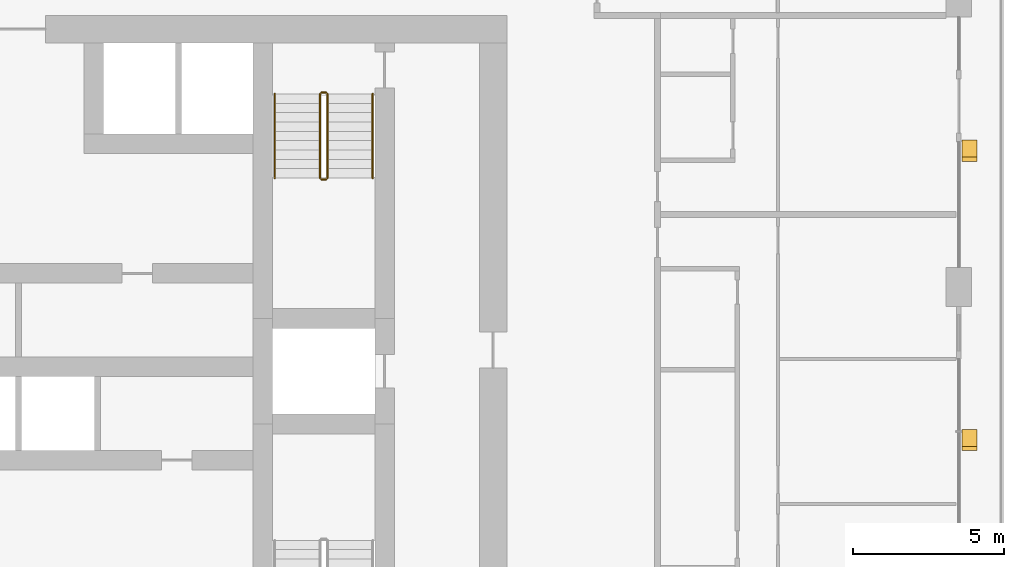
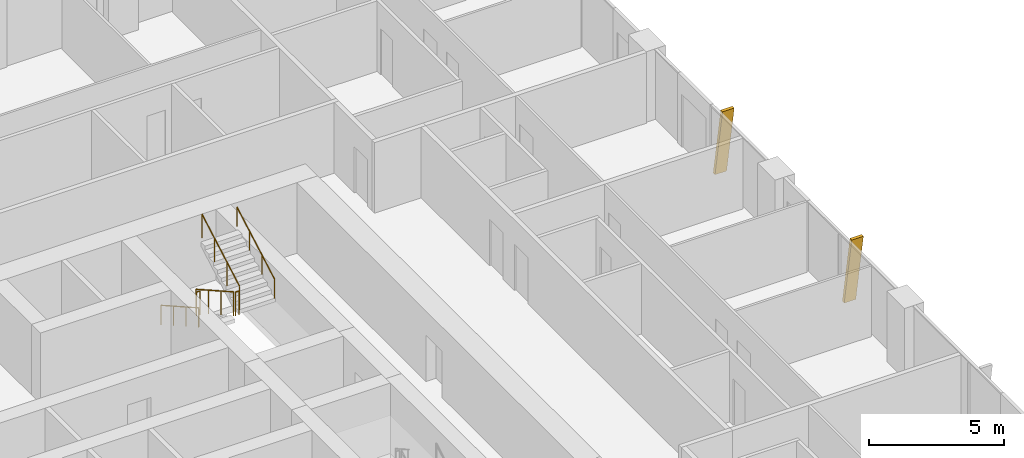
# One storey, part 20 of 21: 6 railings, 2 shading devices.
"""IFC4 building model written with IfcOpenShell, lengths in metres."""

import ifcopenshell
import ifcopenshell.guid

model = None  # the IFC model being written
_history = None  # IfcOwnerHistory: only IFC2X3 demands one
_inside = {}  # id of a spatial element -> (the spatial element, [elements in it])
_under = {}  # id of a project, library or spatial element -> (it, [spatial elements below it])
_declared = {}  # id of a project -> (the project, [libraries it declares])
_typed = {}  # id of a type object -> (the type object, [elements of that type])
_made_of = {}  # id of a material, layer set ... -> (it, [elements and type objects made of it])


def new_model(schema):
    """Start an empty IFC model of exactly this schema.

    Asked for "IFC4X3", IfcOpenShell would pick the latest addendum, in which some entities
    have other attributes; the version numbers below select the first issue.
    IFC2X3 requires an IfcOwnerHistory on every rooted entity: one is made here for all.
    """
    global model, _history
    if schema == "IFC4X3":
        model = ifcopenshell.file(schema_version=(4, 3, 0, 0))
    else:
        model = ifcopenshell.file(schema=schema)
    _inside.clear()
    _under.clear()
    _declared.clear()
    _typed.clear()
    _made_of.clear()
    _history = None
    if model.schema == "IFC2X3":
        org = make("IfcOrganization", Name="unknown")
        user = make(
            "IfcPersonAndOrganization",
            ThePerson=make("IfcPerson", FamilyName="unknown"),
            TheOrganization=org,
        )
        app = make(
            "IfcApplication",
            ApplicationDeveloper=org,
            Version="unknown",
            ApplicationFullName="unknown",
            ApplicationIdentifier="unknown",
        )
        _history = make(
            "IfcOwnerHistory",
            OwningUser=user,
            OwningApplication=app,
            ChangeAction="ADDED",
            CreationDate=0,
        )
    return model


def make(cls, **values):
    """One entity of the class cls with the attributes given. An attribute that is None is left unset."""
    return model.create_entity(
        cls, **{name: value for name, value in values.items() if value is not None}
    )


def rooted(cls, **values):
    """An entity with a GlobalId (a new one), such as an element, a storey or a relation."""
    return make(cls, GlobalId=ifcopenshell.guid.new(), OwnerHistory=_history, **values)


def si_unit(unit_type, name, prefix=None):
    """IfcSIUnit, for example si_unit("LENGTHUNIT", "METRE", prefix="MILLI")."""
    return make("IfcSIUnit", UnitType=unit_type, Prefix=prefix, Name=name)


def assignment(units):
    """IfcUnitAssignment: the units of a project."""
    return None if units is None else make("IfcUnitAssignment", Units=units)


def point(xyz):
    """IfcCartesianPoint."""
    return None if xyz is None else make("IfcCartesianPoint", Coordinates=xyz)


def direction(xyz):
    """IfcDirection."""
    return None if xyz is None else make("IfcDirection", DirectionRatios=xyz)


def frame(location, z_axis=None, x_axis=None):
    """IfcAxis2Placement3D, a coordinate frame: its origin and axes. An axis left out is left unset."""
    return make(
        "IfcAxis2Placement3D",
        Location=point(location),
        Axis=direction(z_axis),
        RefDirection=direction(x_axis),
    )


def frame_2d(location, x_axis=None):
    """IfcAxis2Placement2D, a coordinate frame in the plane: its origin and x axis."""
    return make(
        "IfcAxis2Placement2D", Location=point(location), RefDirection=direction(x_axis)
    )


def origin():
    """The frame at (0, 0, 0) with its axes left unset."""
    return frame((0.0, 0.0, 0.0))


def origin_2d():
    """The frame at (0, 0) in the plane with its x axis left unset."""
    return frame_2d((0.0, 0.0))


def place(relative_to, where):
    """IfcLocalPlacement: puts the frame where relative to a parent placement (None: the world)."""
    return make(
        "IfcLocalPlacement", PlacementRelTo=relative_to, RelativePlacement=where
    )


def context(
    kind, dimensions, precision=None, world=None, true_north=None, identifier=None
):
    """IfcGeometricRepresentationContext, for example the 3D "Model" context."""
    return make(
        "IfcGeometricRepresentationContext",
        ContextIdentifier=identifier,
        ContextType=kind,
        CoordinateSpaceDimension=dimensions,
        Precision=precision,
        WorldCoordinateSystem=world,
        TrueNorth=true_north,
    )


def subcontext(parent, identifier, kind, view, scale=None):
    """IfcGeometricRepresentationSubContext, for example "Body" below "Model"."""
    return make(
        "IfcGeometricRepresentationSubContext",
        ContextIdentifier=identifier,
        ContextType=kind,
        ParentContext=parent,
        TargetScale=scale,
        TargetView=view,
    )


def project(units=None, contexts=None):
    """IfcProject with its units and contexts."""
    return rooted(
        "IfcProject",
        Name="project",
        RepresentationContexts=contexts,
        UnitsInContext=assignment(units),
    )


def spatial(cls, under=None, at=None, **own):
    """A site, building, storey or space (cls), placed at a placement, below another one or the project."""
    s = rooted(cls, ObjectPlacement=at, **own)
    if under is not None:
        _under.setdefault(under.id(), (under, []))[1].append(s)
    return s


def polyline(points):
    """IfcPolyline through the points."""
    return make("IfcPolyline", Points=[point(p) for p in points])


def profile(cls, at=None, kind="AREA", **sizes):
    """A parametric profile (cls). Its sizes go by their IFC names, for example OverallWidth=200.0."""
    return make(cls, ProfileType=kind, Position=at, **sizes)


def circle(**sizes):
    """IfcCircleProfileDef."""
    return profile("IfcCircleProfileDef", **sizes)


def outline(outer, holes=None, kind="AREA"):
    """IfcArbitraryClosedProfileDef: a profile drawn as a closed curve; with holes, ...WithVoids."""
    if holes is None:
        return make("IfcArbitraryClosedProfileDef", ProfileType=kind, OuterCurve=outer)
    return make(
        "IfcArbitraryProfileDefWithVoids",
        ProfileType=kind,
        OuterCurve=outer,
        InnerCurves=holes,
    )


def extrude(swept, where, along, depth):
    """IfcExtrudedAreaSolid: the profile swept, set in the frame where, extruded along a direction by depth."""
    return make(
        "IfcExtrudedAreaSolid",
        SweptArea=swept,
        Position=where,
        ExtrudedDirection=direction(along),
        Depth=depth,
    )


def shape(context_of_items, identifier, shape_type, items):
    """IfcShapeRepresentation: the items that make up one representation, for example the "Body"."""
    return make(
        "IfcShapeRepresentation",
        ContextOfItems=context_of_items,
        RepresentationIdentifier=identifier,
        RepresentationType=shape_type,
        Items=items,
    )


def material(Name=None, Category=None):
    """IfcMaterial."""
    return make("IfcMaterial", Name=Name, Category=Category)


def made_of(thing, what):
    """Note that an element or type object is made of a material, layer set ...; save() writes the relation."""
    if what is not None:
        _made_of.setdefault(what.id(), (what, []))[1].append(thing)
    return thing


def type_object(cls, material=None, **own):
    """A type object (cls), such as IfcWallType, which elements share."""
    return made_of(rooted(cls, **own), material)


def element(
    cls,
    number,
    at=None,
    inside=None,
    cuts=None,
    type_object=None,
    material=None,
    context=None,
    identifier="Body",
    shape_type=None,
    held_by="IfcProductDefinitionShape",
    body=None,
    shapes=None,
    **own,
):
    """One element of the class cls, such as IfcWall. Its Tag is "e" and its number.

    at: its placement. inside: the storey or other place that contains it. cuts: it is an
    opening in that element (IfcRelVoidsElement). A single representation is given by context,
    identifier, shape_type and body (its items); several are given by shapes. held_by: the class
    of the entity that holds the representations. save() writes the other relations.
    """
    e = rooted(cls, Tag="e%d" % number, ObjectPlacement=at, **own)
    if body is not None:
        shapes = [shape(context, identifier, shape_type, body)]
    if shapes is not None:
        e.Representation = make(held_by, Representations=shapes)
    if inside is not None:
        _inside.setdefault(inside.id(), (inside, []))[1].append(e)
    if cuts is not None:
        rooted(
            "IfcRelVoidsElement", RelatingBuildingElement=cuts, RelatedOpeningElement=e
        )
    if type_object is not None:
        _typed.setdefault(type_object.id(), (type_object, []))[1].append(e)
    return made_of(e, material)


def aggregate(whole, parts):
    """IfcRelAggregates: a whole, such as a stair, and the parts it consists of."""
    return rooted("IfcRelAggregates", RelatingObject=whole, RelatedObjects=parts)


def save(model, path):
    """Write the relations noted so far, then the file.

    IfcRelAggregates (storeys below a building ...), IfcRelContainedInSpatialStructure (elements
    in a storey), IfcRelDefinesByType, IfcRelAssociatesMaterial and IfcRelDeclares: one each for
    every whole, place, type object, material and project.
    """
    for whole, parts in _under.values():
        aggregate(whole, parts)
    for where, things in _inside.values():
        rooted(
            "IfcRelContainedInSpatialStructure",
            RelatedElements=things,
            RelatingStructure=where,
        )
    for kind, things in _typed.values():
        rooted("IfcRelDefinesByType", RelatedObjects=things, RelatingType=kind)
    for what, things in _made_of.values():
        rooted("IfcRelAssociatesMaterial", RelatedObjects=things, RelatingMaterial=what)
    for by, libraries in _declared.values():
        rooted("IfcRelDeclares", RelatingContext=by, RelatedDefinitions=libraries)
    model.write(path)


model = new_model("IFC4")

# Units and contexts
model_context = context("Model", 3, precision=1e-05, world=origin(), true_north=direction((0.0, 1.0)))
body_context = subcontext(model_context, "Body", "Model", "MODEL_VIEW")
ifc_project = project(units=[si_unit("LENGTHUNIT", "METRE"), si_unit("AREAUNIT", "SQUARE_METRE"), si_unit("VOLUMEUNIT", "CUBIC_METRE"), si_unit("PLANEANGLEUNIT", "RADIAN"), si_unit("MASSUNIT", "GRAM", prefix="KILO")], contexts=[model_context])

# Site, building, storey
site_placement = place(None, origin())
site = spatial("IfcSite", under=ifc_project, at=site_placement, CompositionType="ELEMENT")
building_placement = place(site_placement, origin())
building = spatial("IfcBuilding", under=site, at=building_placement, Name="Madar Terraces", CompositionType="ELEMENT")
storey_placement = place(building_placement, frame((0.0, 0.0, 106.699951171875)))
storey = spatial("IfcBuildingStorey", under=building, at=storey_placement, Name="L27", CompositionType="ELEMENT", Elevation=106.699951171875)

# Shading devices
ifc_material_1 = material(Name="Aluminium, black anodised", Category="aluminium")
shading_device_type = type_object("IfcShadingDeviceType", Name="Facade fin blade 140 x 500", PredefinedType="USERDEFINED", material=ifc_material_1)
shading_device_1_placement = place(storey_placement, frame((62.75, 23.929931640625, 0.0), z_axis=(0.0, 0.0, 1.0), x_axis=(0.0, 1.0, 0.0)))
element("IfcShadingDevice", 1, at=shading_device_1_placement, inside=storey, type_object=shading_device_type, Name="FIN L27 E2", ObjectType="FIN", PredefinedType="USERDEFINED", context=body_context, shape_type="SweptSolid", body=[
    extrude(outline(polyline([(0.0, 0.0), (0.14013671875, 0.0), (-0.42431640625, 3.199951171875), (-0.564208984375, 3.199951171875), (0.0, 0.0)])), frame((0.0, 0.25, 0.0), z_axis=(0.0, -1.0, 0.0), x_axis=(1.0, 0.0, 0.0)), (0.0, 0.0, 1.0), 0.5),
])
shading_device_2_placement = place(storey_placement, frame((62.75, 33.530029296875, 0.0), z_axis=(0.0, 0.0, 1.0), x_axis=(0.0, 1.0, 0.0)))
element("IfcShadingDevice", 2, at=shading_device_2_placement, inside=storey, type_object=shading_device_type, Name="FIN L27 E3", ObjectType="FIN", PredefinedType="USERDEFINED", context=body_context, shape_type="SweptSolid", body=[
    extrude(outline(polyline([(0.0, 0.0), (0.139892578125, 0.0), (-0.42431640625, 3.199951171875), (-0.564208984375, 3.199951171875), (0.0, 0.0)])), frame((0.0, 0.25, 0.0), z_axis=(0.0, -1.0, 0.0), x_axis=(1.0, 0.0, 0.0)), (0.0, 0.0, 1.0), 0.5),
])

# Railings
ifc_material_2 = material(Name="Stainless steel railing", Category="steel")
railing_type_1 = type_object("IfcRailingType", Name="Stair guard 1100", PredefinedType="GUARDRAIL", material=ifc_material_2)
railing_1_placement = place(storey_placement, frame((41.199951171875, 35.199951171875, 0.175048828125)))
element("IfcRailing", 3, at=railing_1_placement, inside=storey, type_object=railing_type_1, Name="L27 ST2 stair guard 1", PredefinedType="GUARDRAIL", context=body_context, shape_type="SweptSolid", body=[
    extrude(circle(Radius=0.02392578125, at=origin_2d()), frame((0.0, 0.0, 1.076171875), z_axis=(0.0, -0.870833779661, 0.491577591232), x_axis=(1.0, 0.0, 0.0)), (0.0, 0.0, 1.0), 3.203857421875),
    extrude(circle(Radius=0.02099609375, at=origin_2d()), origin(), (0.0, 0.0, 1.0), 1.052001953125),
    extrude(circle(Radius=0.02099609375, at=origin_2d()), frame((0.0, -0.929931640625, 0.52490234375)), (0.0, 0.0, 1.0), 1.052001953125),
    extrude(circle(Radius=0.02099609375, at=origin_2d()), frame((0.0, -1.860107421875, 1.050048828125)), (0.0, 0.0, 1.0), 1.052001953125),
    extrude(circle(Radius=0.02099609375, at=origin_2d()), frame((0.0, -2.7900390625, 1.574951171875)), (0.0, 0.0, 1.0), 1.052001953125),
])
railing_2_placement = place(storey_placement, frame((41.25, 32.360107421875, 1.75)))
element("IfcRailing", 4, at=railing_2_placement, inside=storey, type_object=railing_type_1, Name="L27 ST2 stair guard 2", PredefinedType="GUARDRAIL", context=body_context, shape_type="SweptSolid", body=[
    extrude(circle(Radius=0.02392578125, at=origin_2d()), frame((0.0, 0.0, 1.076171875), z_axis=(1.0, 0.0, 0.0), x_axis=(0.0, 1.0, 0.0)), (0.0, 0.0, 1.0), 0.14990234375),
    extrude(circle(Radius=0.02099609375, at=origin_2d()), origin(), (0.0, 0.0, 1.0), 1.052001953125),
    extrude(circle(Radius=0.02099609375, at=origin_2d()), frame((0.14990234375, 0.0, 0.0)), (0.0, 0.0, 1.0), 1.052001953125),
])
railing_3_placement = place(storey_placement, frame((41.449951171875, 32.409912109375, 1.925048828125)))
element("IfcRailing", 5, at=railing_3_placement, inside=storey, type_object=railing_type_1, Name="L27 ST2 stair guard 3", PredefinedType="GUARDRAIL", context=body_context, shape_type="SweptSolid", body=[
    extrude(circle(Radius=0.02392578125, at=origin_2d()), frame((0.0, 0.0, 1.076171875), z_axis=(0.0, 0.870833779661, 0.491577591232), x_axis=(-1.0, 0.0, 0.0)), (0.0, 0.0, 1.0), 3.203857421875),
    extrude(circle(Radius=0.02099609375, at=origin_2d()), origin(), (0.0, 0.0, 1.0), 1.052001953125),
    extrude(circle(Radius=0.02099609375, at=origin_2d()), frame((0.0, 0.929931640625, 0.52490234375)), (0.0, 0.0, 1.0), 1.052001953125),
    extrude(circle(Radius=0.02099609375, at=origin_2d()), frame((0.0, 1.860107421875, 1.050048828125)), (0.0, 0.0, 1.0), 1.052001953125),
    extrude(circle(Radius=0.02099609375, at=origin_2d()), frame((0.0, 2.7900390625, 1.574951171875)), (0.0, 0.0, 1.0), 1.052001953125),
])
railing_4_placement = place(storey_placement, frame((41.25, 35.25, 0.0)))
element("IfcRailing", 6, at=railing_4_placement, inside=storey, type_object=railing_type_1, Name="L27 ST2 stair guard 4", PredefinedType="GUARDRAIL", context=body_context, shape_type="SweptSolid", body=[
    extrude(circle(Radius=0.02392578125, at=origin_2d()), frame((0.0, 0.0, 1.076171875), z_axis=(1.0, 0.0, 0.0), x_axis=(0.0, 1.0, 0.0)), (0.0, 0.0, 1.0), 0.14990234375),
    extrude(circle(Radius=0.02099609375, at=origin_2d()), origin(), (0.0, 0.0, 1.0), 1.052001953125),
    extrude(circle(Radius=0.02099609375, at=origin_2d()), frame((0.14990234375, 0.0, 0.0)), (0.0, 0.0, 1.0), 1.052001953125),
])
ifc_material_3 = material(Name="Stainless steel railing", Category="steel")
railing_type_2 = type_object("IfcRailingType", Name="Stair handrail 900", PredefinedType="HANDRAIL", material=ifc_material_3)
railing_5_placement = place(storey_placement, frame((39.699951171875, 35.199951171875, 0.175048828125)))
element("IfcRailing", 7, at=railing_5_placement, inside=storey, type_object=railing_type_2, Name="L27 ST2 stair handrail 1", PredefinedType="HANDRAIL", context=body_context, shape_type="SweptSolid", body=[
    extrude(circle(Radius=0.02392578125, at=origin_2d()), frame((0.0, 0.0, 0.8759765625), z_axis=(0.0, -0.870833779661, 0.491577591232), x_axis=(1.0, 0.0, 0.0)), (0.0, 0.0, 1.0), 3.203857421875),
    extrude(circle(Radius=0.02099609375, at=origin_2d()), origin(), (0.0, 0.0, 1.0), 0.851806640625),
    extrude(circle(Radius=0.02099609375, at=origin_2d()), frame((0.0, -0.929931640625, 0.52490234375)), (0.0, 0.0, 1.0), 0.851806640625),
    extrude(circle(Radius=0.02099609375, at=origin_2d()), frame((0.0, -1.860107421875, 1.050048828125)), (0.0, 0.0, 1.0), 0.851806640625),
    extrude(circle(Radius=0.02099609375, at=origin_2d()), frame((0.0, -2.7900390625, 1.574951171875)), (0.0, 0.0, 1.0), 0.851806640625),
])
railing_6_placement = place(storey_placement, frame((42.949951171875, 32.409912109375, 1.925048828125)))
element("IfcRailing", 8, at=railing_6_placement, inside=storey, type_object=railing_type_2, Name="L27 ST2 stair handrail 2", PredefinedType="HANDRAIL", context=body_context, shape_type="SweptSolid", body=[
    extrude(circle(Radius=0.02392578125, at=origin_2d()), frame((0.0, 0.0, 0.8759765625), z_axis=(0.0, 0.870833779661, 0.491577591232), x_axis=(-1.0, 0.0, 0.0)), (0.0, 0.0, 1.0), 3.203857421875),
    extrude(circle(Radius=0.02099609375, at=origin_2d()), origin(), (0.0, 0.0, 1.0), 0.851806640625),
    extrude(circle(Radius=0.02099609375, at=origin_2d()), frame((0.0, 0.929931640625, 0.52490234375)), (0.0, 0.0, 1.0), 0.851806640625),
    extrude(circle(Radius=0.02099609375, at=origin_2d()), frame((0.0, 1.860107421875, 1.050048828125)), (0.0, 0.0, 1.0), 0.851806640625),
    extrude(circle(Radius=0.02099609375, at=origin_2d()), frame((0.0, 2.7900390625, 1.574951171875)), (0.0, 0.0, 1.0), 0.851806640625),
])

save(model, "model.ifc")
